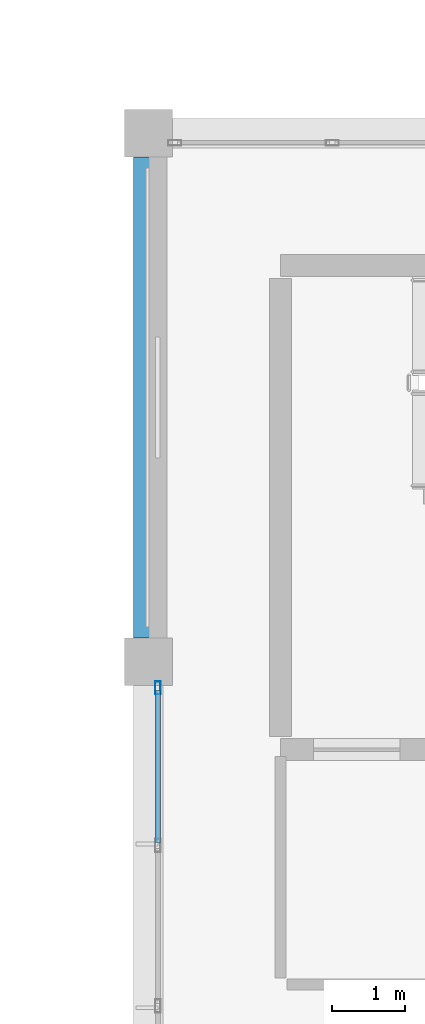
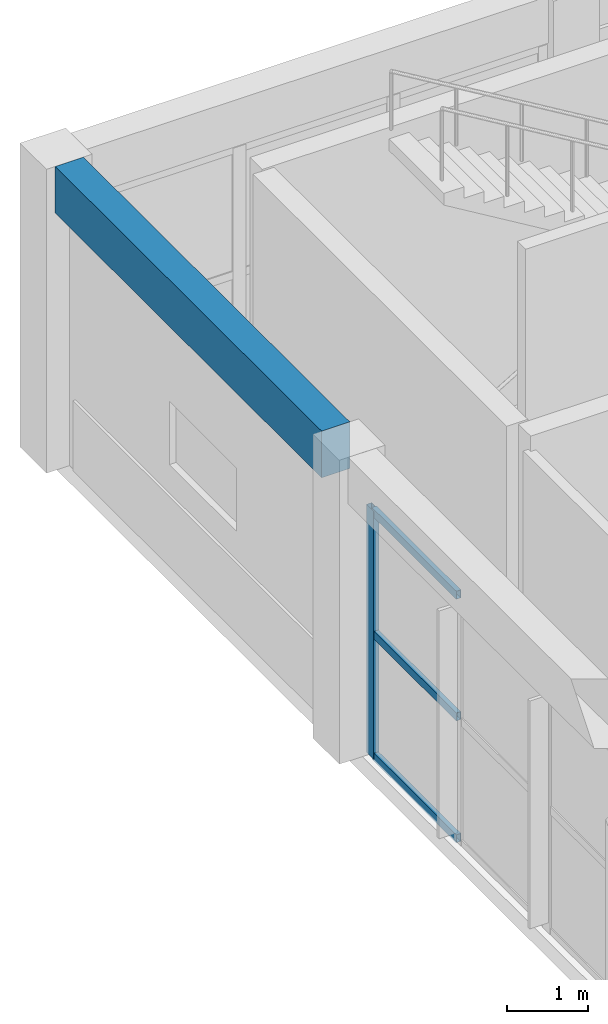
# One storey, part 74 of 155: 4 members, 1 beam, 1 element without a shape of its own.
"""IFC4 building model written with IfcOpenShell, lengths in metres."""

from ifc_helpers import new_model, si_unit, direction, frame, origin, origin_2d, place, context, subcontext, project, spatial, rectangle, hollow_rectangle, extrude, material, material_profile, profile_set, type_object, element, aggregate, save


model = new_model("IFC4")

# Units and contexts
model_context = context("Model", 3, precision=1e-05, world=origin(), true_north=direction((0.0, 1.0)))
body_context = subcontext(model_context, "Body", "Model", "MODEL_VIEW")
ifc_project = project(units=[si_unit("LENGTHUNIT", "METRE"), si_unit("AREAUNIT", "SQUARE_METRE"), si_unit("VOLUMEUNIT", "CUBIC_METRE"), si_unit("PLANEANGLEUNIT", "RADIAN"), si_unit("MASSUNIT", "GRAM", prefix="KILO")], contexts=[model_context])

# Site, building, storey
site_placement = place(None, origin())
site = spatial("IfcSite", under=ifc_project, at=site_placement, CompositionType="ELEMENT")
building_placement = place(site_placement, origin())
building = spatial("IfcBuilding", under=site, at=building_placement, Name="Bramvelor Terrace Health Centre", CompositionType="ELEMENT")
storey_placement = place(building_placement, origin())
storey = spatial("IfcBuildingStorey", under=building, at=storey_placement, Name="L01", CompositionType="ELEMENT", Elevation=0.0)

# Beam
ifc_material_1 = material(Name="Concrete C40/50", Category="concrete")
ifc_material_profile_1 = material_profile(ifc_material_1, rectangle(XDim=0.39990234375, YDim=0.699951171875, at=origin_2d()), Name="RC 400x700")
ifc_profile_set_1 = profile_set([ifc_material_profile_1], Name="Concrete C40/50")
beam_type = type_object("IfcBeamType", Name="BM-RC-SP700-EXT", PredefinedType="SPANDREL", material=ifc_profile_set_1)
beam_placement = place(storey_placement, frame((0.0, 108.324951171875, 4.2099609375), z_axis=(0.0, 1.0, 0.0), x_axis=(-1.0, 0.0, 0.0)))
element("IfcBeam", 1, at=beam_placement, inside=storey, type_object=beam_type, Name="L01 Floor Girder", PredefinedType="SPANDREL", context=body_context, shape_type="SweptSolid", body=[
    extrude(rectangle(XDim=0.39990234375, YDim=0.699951171875, at=origin_2d()), origin(), (0.0, 0.0, 1.0), 6.550048828125),
])

# Curtain wall, members
ifc_material_2 = material(Name="Anodized aluminium and double low-E glass", Category="aluminium")
curtain_wall_type = type_object("IfcCurtainWallType", Name="CW-SYS-02", PredefinedType="NOTDEFINED", material=ifc_material_2)
curtain_wall_placement = place(storey_placement, origin())
curtain_wall = element("IfcCurtainWall", 2, at=curtain_wall_placement, inside=storey, type_object=curtain_wall_type, Name="L01 Unitized Curtain Wall 17", PredefinedType="NOTDEFINED")
ifc_material_3 = material(Name="Anodized aluminium 6063-T6", Category="aluminium")
ifc_material_profile_2 = material_profile(ifc_material_3, hollow_rectangle(XDim=0.074951171875, YDim=0.179931640625, WallThickness=0.00341796875, at=origin_2d()), Name="ALU-MUL 75x180x3.5")
ifc_profile_set_2 = profile_set([ifc_material_profile_2], Name="Anodized aluminium 6063-T6")
member_type_1 = type_object("IfcMemberType", Name="CW-MUL-65x180", PredefinedType="MULLION", material=ifc_profile_set_2)
member_1_placement = place(storey_placement, frame((0.1298828125, 107.642578125, 0.0), z_axis=(0.0, 0.0, 1.0), x_axis=(-1.0, 0.0, 0.0)))
member_1 = element("IfcMember", 3, at=member_1_placement, type_object=member_type_1, Name="CW-02 mullion 4", PredefinedType="MULLION", context=body_context, shape_type="SweptSolid", body=[
    extrude(hollow_rectangle(XDim=0.074951171875, YDim=0.179931640625, WallThickness=0.00341796875, at=origin_2d()), origin(), (0.0, 0.0, 1.0), 3.719970703125),
])
ifc_material_4 = material(Name="Anodized aluminium 6063-T6", Category="aluminium")
ifc_material_profile_3 = material_profile(ifc_material_4, hollow_rectangle(XDim=0.06494140625, YDim=0.1201171875, WallThickness=0.0029296875, at=origin_2d()), Name="ALU-TRN 65x120x3.0")
ifc_profile_set_3 = profile_set([ifc_material_profile_3], Name="Anodized aluminium 6063-T6")
member_type_2 = type_object("IfcMemberType", Name="CW-TRN-65x150", PredefinedType="USERDEFINED", material=ifc_profile_set_3)
member_2_placement = place(storey_placement, frame((0.1298828125, 105.53076171875, 0.032470703125), z_axis=(0.0, 1.0, 0.0), x_axis=(-1.0, 0.0, 0.0)))
member_2 = element("IfcMember", 4, at=member_2_placement, type_object=member_type_2, Name="CW-02 transom 3.1", ObjectType="TRANSOM", PredefinedType="USERDEFINED", context=body_context, shape_type="SweptSolid", body=[
    extrude(hollow_rectangle(XDim=0.06494140625, YDim=0.1201171875, WallThickness=0.0029296875, at=origin_2d()), origin(), (0.0, 0.0, 1.0), 2.07421875),
])
member_3_placement = place(storey_placement, frame((0.1298828125, 105.53076171875, 1.860107421875), z_axis=(0.0, 1.0, 0.0), x_axis=(-1.0, 0.0, 0.0)))
member_3 = element("IfcMember", 5, at=member_3_placement, type_object=member_type_2, Name="CW-02 transom 3.2", ObjectType="TRANSOM", PredefinedType="USERDEFINED", context=body_context, shape_type="SweptSolid", body=[
    extrude(hollow_rectangle(XDim=0.06494140625, YDim=0.1201171875, WallThickness=0.0029296875, at=origin_2d()), origin(), (0.0, 0.0, 1.0), 2.07421875),
])
member_4_placement = place(storey_placement, frame((0.1298828125, 105.53076171875, 3.6875), z_axis=(0.0, 1.0, 0.0), x_axis=(-1.0, 0.0, 0.0)))
member_4 = element("IfcMember", 6, at=member_4_placement, type_object=member_type_2, Name="CW-02 transom 3.3", ObjectType="TRANSOM", PredefinedType="USERDEFINED", context=body_context, shape_type="SweptSolid", body=[
    extrude(hollow_rectangle(XDim=0.06494140625, YDim=0.1201171875, WallThickness=0.0029296875, at=origin_2d()), origin(), (0.0, 0.0, 1.0), 2.07421875),
])
aggregate(curtain_wall, [member_1, member_2, member_3, member_4])

save(model, "model.ifc")
